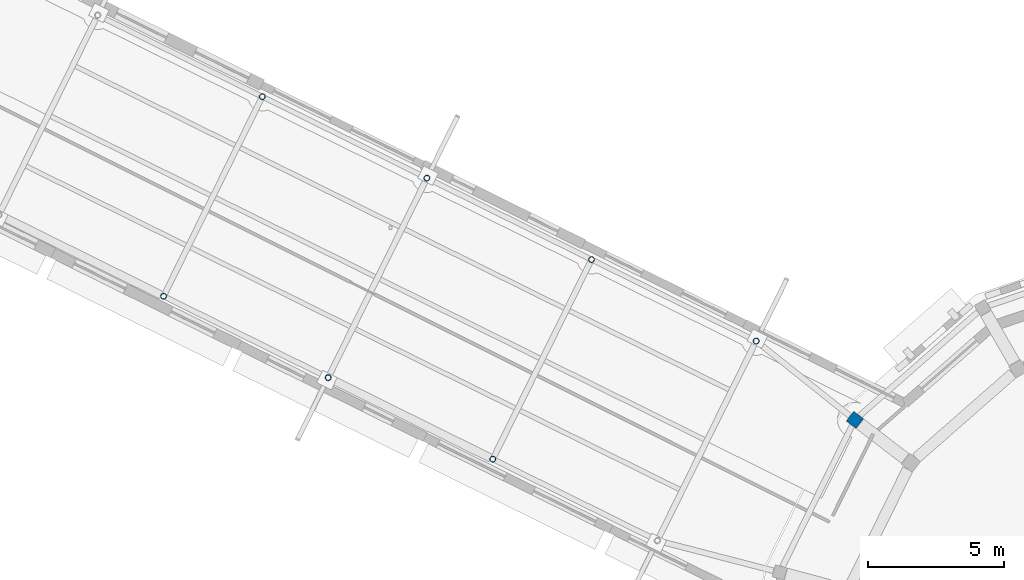
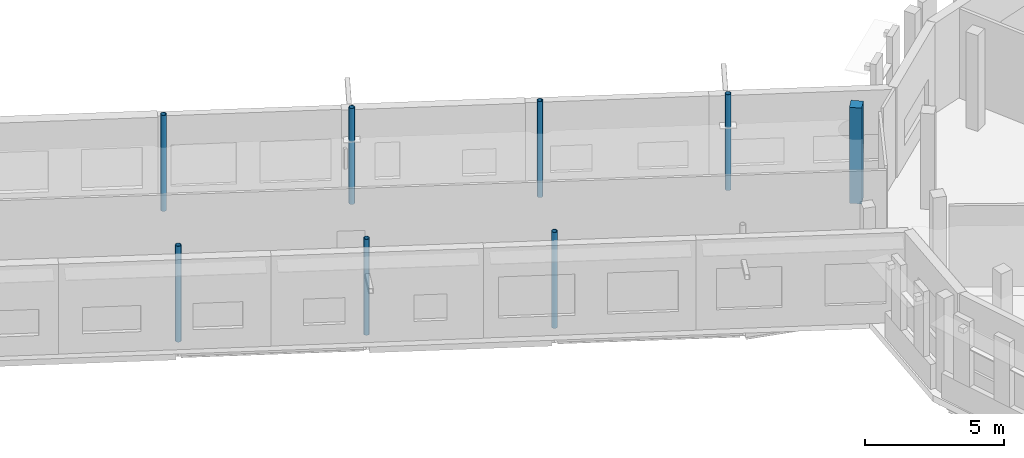
# One storey, part 17 of 68: 8 columns.
"""IFC4 building model written with IfcOpenShell, lengths in metres."""

from ifc_helpers import new_model, si_unit, direction, frame, origin, origin_2d, place, context, subcontext, project, spatial, rectangle, hollow_circle, extrude, material, material_profile, profile_set, type_object, element, save


model = new_model("IFC4")

# Units and contexts
model_context = context("Model", 3, precision=1e-05, world=origin(), true_north=direction((0.0, 1.0)))
body_context = subcontext(model_context, "Body", "Model", "MODEL_VIEW")
ifc_project = project(units=[si_unit("LENGTHUNIT", "METRE"), si_unit("AREAUNIT", "SQUARE_METRE"), si_unit("VOLUMEUNIT", "CUBIC_METRE"), si_unit("PLANEANGLEUNIT", "RADIAN"), si_unit("MASSUNIT", "GRAM", prefix="KILO")], contexts=[model_context])

# Site, building, storey
site_placement = place(None, origin())
site = spatial("IfcSite", under=ifc_project, at=site_placement, CompositionType="ELEMENT")
building_placement = place(site_placement, origin())
building = spatial("IfcBuilding", under=site, at=building_placement, Name="Wrenclough Park School", CompositionType="ELEMENT")
storey_placement = place(building_placement, frame((0.0, 0.0, 12.60009765625)))
storey = spatial("IfcBuildingStorey", under=building, at=storey_placement, Name="L03", CompositionType="ELEMENT", Elevation=12.60009765625)

# Columns
ifc_material_1 = material(Name="Structural steel S355", Category="steel")
ifc_material_profile_1 = material_profile(ifc_material_1, hollow_circle(Radius=0.109619140625, WallThickness=0.012451171875, at=origin_2d()), Name="CHS 219.1x12.5")
ifc_profile_set_1 = profile_set([ifc_material_profile_1], Name="Structural steel S355")
column_type_1 = type_object("IfcColumnType", Name="STR-COL-CHS219", PredefinedType="COLUMN", material=ifc_profile_set_1)
for number, where, z_axis, x_axis, name in (
    (1, (139.943359375, 115.1748046875, 0.0), (0.0, 0.0, 1.0), (0.896254315973, -0.443540529265, 0.0), "W45 L03 column W45-C2-L02"),
    (2, (136.306640625, 107.8251953125, 0.0), (0.0, 0.0, 1.0), (0.896254315973, -0.443540529265, 0.0), "W45 L03 column W45-C2-R02"),
    (3, (146.005859375, 112.1748046875, 0.0), (0.0, 0.0, 1.0), (0.896254315973, -0.443540529265, 0.0), "W45 L03 column W45-C2-L03"),
    (4, (142.369140625, 104.8251953125, 0.0), (0.0, 0.0, 1.0), (0.896254315973, -0.443540529265, 0.0), "W45 L03 column W45-C2-R03"),
    (5, (152.068359375, 109.1748046875, 0.0), (0.0, 0.0, 1.0), (0.896254315973, -0.443540529265, 0.0), "W45 L03 column W45-C2-L04"),
    (6, (148.431640625, 101.8251953125, 0.0), (0.0, 0.0, 1.0), (0.896254315973, -0.443540529265, 0.0), "W45 L03 column W45-C2-R04"),
    (7, (158.130859375, 106.1748046875, 0.0), (0.0, 0.0, 1.0), (0.896254315973, -0.443540529265, 0.0), "W45 L03 column W45-C2-L05"),
):
    element("IfcColumn", number, at=place(storey_placement, frame(where, z_axis=z_axis, x_axis=x_axis)), inside=storey, type_object=column_type_1, Name=name, PredefinedType="COLUMN", context=body_context, shape_type="SweptSolid", body=[
        extrude(hollow_circle(Radius=0.109619140625, WallThickness=0.012451171875, at=origin_2d()), origin(), (0.0, 0.0, 1.0), 4.199951171875),
    ])
ifc_material_2 = material(Name="Concrete C40/50", Category="concrete")
ifc_material_profile_2 = material_profile(ifc_material_2, rectangle(XDim=0.449951171875, YDim=0.449951171875, at=origin_2d()), Name="RC COL 450x450")
ifc_profile_set_2 = profile_set([ifc_material_profile_2], Name="Concrete C40/50")
column_type_2 = type_object("IfcColumnType", Name="STR-COL-RC450", PredefinedType="COLUMN", material=ifc_profile_set_2)
column_placement = place(storey_placement, frame((161.7666015625, 103.2705078125, 0.0), z_axis=(0.0, 0.0, 1.0), x_axis=(-0.608761429009, -0.793353340291, 0.0)))
element("IfcColumn", 8, at=column_placement, inside=storey, type_object=column_type_2, Name="D5 L03 column D5-OUT-07", PredefinedType="COLUMN", context=body_context, shape_type="SweptSolid", body=[
    extrude(rectangle(XDim=0.449951171875, YDim=0.449951171875, at=origin_2d()), origin(), (0.0, 0.0, 1.0), 4.199951171875),
])

save(model, "model.ifc")
